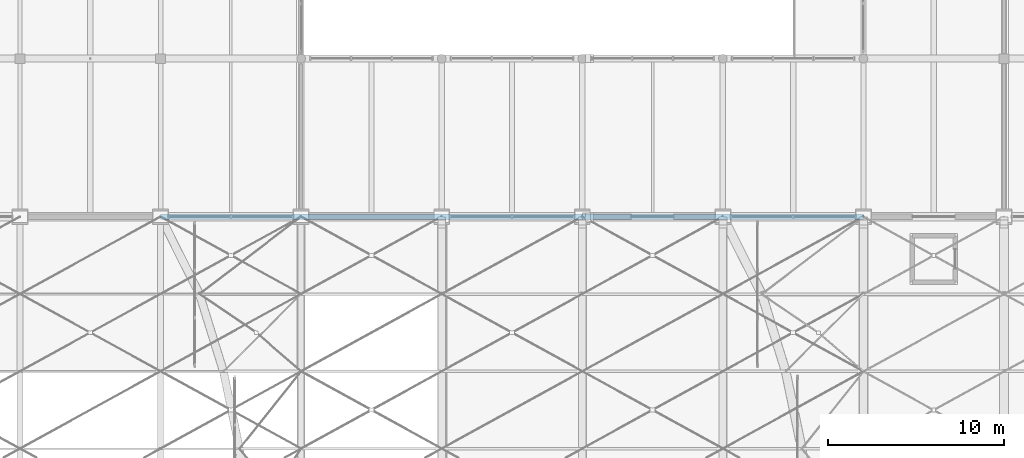
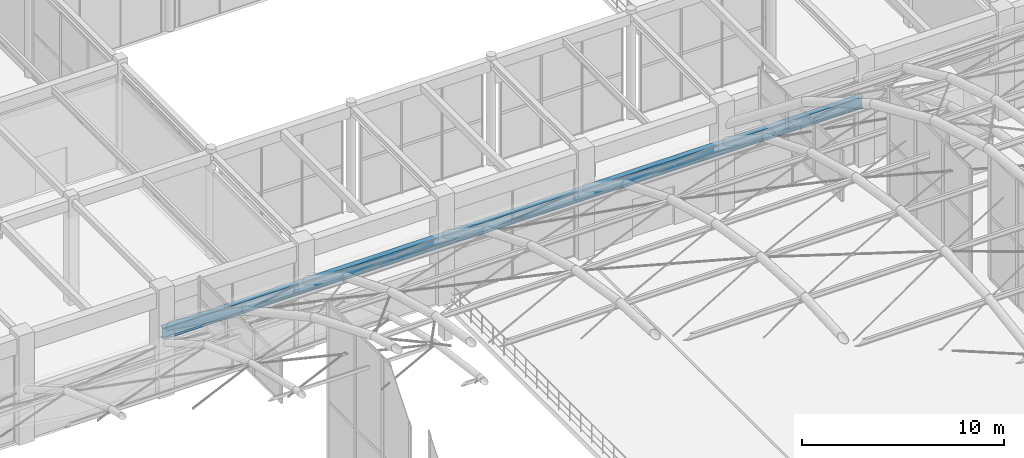
# One storey, part 66 of 163: 1 beam.
"""IFC4 building model written with IfcOpenShell, lengths in metres."""

from ifc_helpers import new_model, si_unit, direction, frame, origin, origin_2d, place, context, subcontext, project, spatial, i_section, extrude, material, material_profile, profile_set, type_object, element, save


model = new_model("IFC4")

# Units and contexts
model_context = context("Model", 3, precision=1e-05, world=origin(), true_north=direction((0.0, 1.0)))
body_context = subcontext(model_context, "Body", "Model", "MODEL_VIEW")
ifc_project = project(units=[si_unit("LENGTHUNIT", "METRE"), si_unit("AREAUNIT", "SQUARE_METRE"), si_unit("VOLUMEUNIT", "CUBIC_METRE"), si_unit("PLANEANGLEUNIT", "RADIAN"), si_unit("MASSUNIT", "GRAM", prefix="KILO")], contexts=[model_context])

# Site, building, storey
site_placement = place(None, origin())
site = spatial("IfcSite", under=ifc_project, at=site_placement, CompositionType="ELEMENT")
building_placement = place(site_placement, origin())
building = spatial("IfcBuilding", under=site, at=building_placement, Name="Varnabhumi Central Station", CompositionType="ELEMENT")
storey_placement = place(building_placement, frame((0.0, 0.0, 9.60009765625)))
storey = spatial("IfcBuildingStorey", under=building, at=storey_placement, Name="L02", CompositionType="ELEMENT", Elevation=9.60009765625)

# Beam
ifc_material = material(Name="Structural steel E350", Category="steel")
ifc_material_profile = material_profile(ifc_material, i_section(OverallWidth=0.300048828125, OverallDepth=0.699951171875, WebThickness=0.01708984375, FlangeThickness=0.031982421875, FilletRadius=0.027099609375, at=origin_2d()), Name="Structural steel E350", Category="steel")
ifc_profile_set = profile_set([ifc_material_profile], Name="Structural steel E350")
beam_type = type_object("IfcBeamType", Name="BM-RING-WPB700", PredefinedType="BEAM", material=ifc_profile_set)
beam_placement = place(storey_placement, frame((40.0, 80.0, 3.60986328125), z_axis=(1.0, 0.0, 0.0), x_axis=(0.0, 1.0, 0.0)))
element("IfcBeam", 1, at=beam_placement, inside=storey, type_object=beam_type, Name="Ticket Hall Vault Compression Ring Beam N", PredefinedType="BEAM", context=body_context, shape_type="SweptSolid", body=[
    extrude(i_section(OverallWidth=0.300048828125, OverallDepth=0.699951171875, WebThickness=0.01708984375, FlangeThickness=0.031982421875, FilletRadius=0.027099609375, at=origin_2d()), origin(), (0.0, 0.0, 1.0), 40.0),
])

save(model, "model.ifc")
